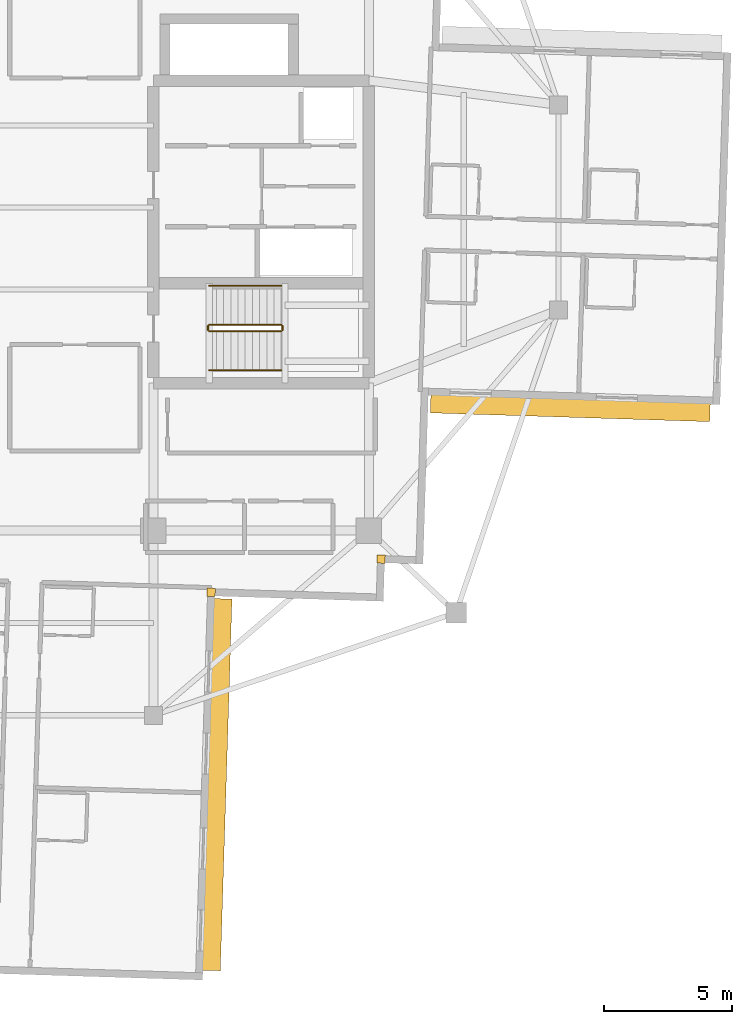
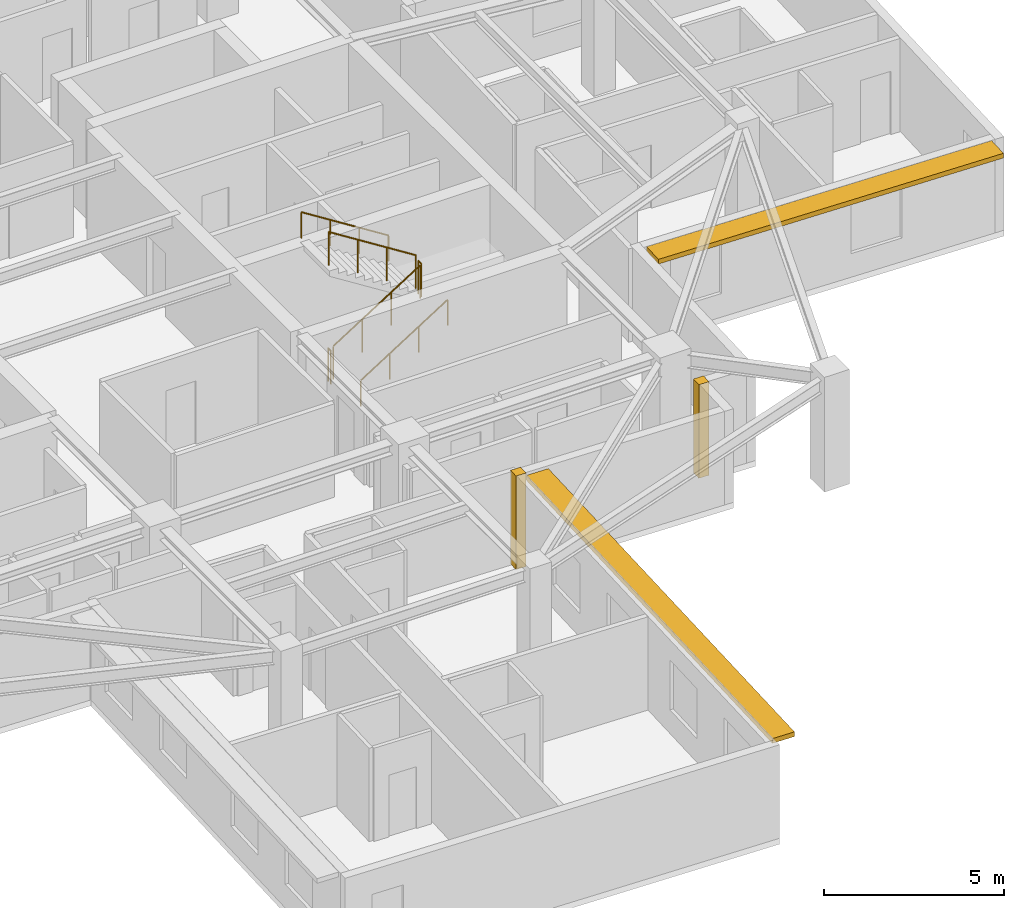
# One storey, part 11 of 13: 6 railings, 2 coverings, 2 shading devices.
"""IFC4 building model written with IfcOpenShell, lengths in metres."""

from ifc_helpers import new_model, si_unit, direction, frame, origin, origin_2d, place, context, subcontext, project, spatial, rectangle, circle, extrude, material, layer, layer_set, type_object, element, save


model = new_model("IFC4")

# Units and contexts
model_context = context("Model", 3, precision=1e-05, world=origin(), true_north=direction((0.0, 1.0)))
body_context = subcontext(model_context, "Body", "Model", "MODEL_VIEW")
ifc_project = project(units=[si_unit("LENGTHUNIT", "METRE"), si_unit("AREAUNIT", "SQUARE_METRE"), si_unit("VOLUMEUNIT", "CUBIC_METRE"), si_unit("PLANEANGLEUNIT", "RADIAN"), si_unit("MASSUNIT", "GRAM", prefix="KILO")], contexts=[model_context])

# Site, building, storey
site_placement = place(None, origin())
site = spatial("IfcSite", under=ifc_project, at=site_placement, CompositionType="ELEMENT")
building_placement = place(site_placement, origin())
building = spatial("IfcBuilding", under=site, at=building_placement, Name="Qingluan Cross Belvedere", CompositionType="ELEMENT")
storey_placement = place(building_placement, frame((0.0, 0.0, 257.699951171875)))
storey = spatial("IfcBuildingStorey", under=building, at=storey_placement, Name="L64", CompositionType="ELEMENT", Elevation=257.699951171875)

# Coverings
ifc_material_1 = material(Name="Precast concrete C45", Category="concrete")
ifc_layer_1 = layer(ifc_material_1, 0.1201171875, Name="ConcreteSpandrelCladding_120")
ifc_layer_set_1 = layer_set([ifc_layer_1], Name="Precast concrete C45")
covering_type = type_object("IfcCoveringType", Name="ConcreteSpandrelCladding_120", PredefinedType="CLADDING", material=ifc_layer_set_1)
for number, where, z_axis, x_axis, name in (
    (1, (12.875732421875, -13.711181640625, 0.0), (0.0, 0.0, 1.0), (0.999506560366, -0.031410759078, 0.0), "Corner closure L64-SE1"),
    (2, (6.251708984375, -15.00390625, 0.0), (0.0, 0.0, 1.0), (0.999506560366, -0.031410759078, 0.0), "Corner closure L64-SE2"),
):
    element("IfcCovering", number, at=place(storey_placement, frame(where, z_axis=z_axis, x_axis=x_axis)), inside=storey, type_object=covering_type, Name=name, PredefinedType="CLADDING", context=body_context, shape_type="SweptSolid", body=[
        extrude(rectangle(XDim=0.320068359375, YDim=0.320068359375, at=origin_2d()), origin(), (0.0, 0.0, 1.0), 3.179931640625),
    ])

# Shading devices
ifc_material_2 = material(Name="Precast concrete C45", Category="concrete")
ifc_layer_2 = layer(ifc_material_2, 0.139892578125, Name="ConcreteSunshadeBand_700")
ifc_layer_set_2 = layer_set([ifc_layer_2], Name="Precast concrete C45")
shading_device_type = type_object("IfcShadingDeviceType", Name="ConcreteSunshadeBand_700", PredefinedType="USERDEFINED", material=ifc_layer_set_2)
shading_device_1_placement = place(storey_placement, frame((20.25390625, -7.830078125, 3.0), z_axis=(0.0, 0.0, 1.0), x_axis=(0.999506735289, -0.031405192428, 0.0)))
element("IfcShadingDevice", 3, at=shading_device_1_placement, inside=storey, type_object=shading_device_type, Name="Concrete SUNSHADE L64-EA", ObjectType="SUNSHADE", PredefinedType="USERDEFINED", context=body_context, shape_type="SweptSolid", body=[
    extrude(rectangle(XDim=10.89990234375, YDim=0.699951171875, at=origin_2d()), origin(), (0.0, 0.0, 1.0), 0.159912109375),
])
shading_device_2_placement = place(storey_placement, frame((6.486328125, -22.5048828125, 3.0), z_axis=(0.0, 0.0, 1.0), x_axis=(0.031408051437, 0.999506645453, 0.0)))
element("IfcShadingDevice", 4, at=shading_device_2_placement, inside=storey, type_object=shading_device_type, Name="Concrete SUNSHADE L64-SB", ObjectType="SUNSHADE", PredefinedType="USERDEFINED", context=body_context, shape_type="SweptSolid", body=[
    extrude(rectangle(XDim=14.5, YDim=0.699951171875, at=origin_2d()), origin(), (0.0, 0.0, 1.0), 0.159912109375),
])

# Railings
ifc_material_3 = material(Name="Brushed stainless steel tubular handrail", Category="steel")
railing_type_1 = type_object("IfcRailingType", Name="StairPitchHandrail_900", PredefinedType="HANDRAIL", material=ifc_material_3)
railing_1_placement = place(storey_placement, frame((6.179931640625, -6.35009765625, 0.17724609375)))
element("IfcRailing", 5, at=railing_1_placement, inside=storey, type_object=railing_type_1, Name="L64 ST2 stair handrail 1", PredefinedType="HANDRAIL", context=body_context, shape_type="SweptSolid", body=[
    extrude(circle(Radius=0.02392578125, at=origin_2d()), frame((0.0, 0.0, 0.8759765625), z_axis=(0.844908973607, 0.0, 0.534910110503), x_axis=(0.0, 1.0, 0.0)), (0.0, 0.0, 1.0), 3.31396484375),
    extrude(circle(Radius=0.02099609375, at=origin_2d()), origin(), (0.0, 0.0, 1.0), 0.851806640625),
    extrude(circle(Radius=0.02099609375, at=origin_2d()), frame((0.933349609375, 0.0, 0.5908203125)), (0.0, 0.0, 1.0), 0.851806640625),
    extrude(circle(Radius=0.02099609375, at=origin_2d()), frame((1.86669921875, 0.0, 1.181884765625)), (0.0, 0.0, 1.0), 0.851806640625),
    extrude(circle(Radius=0.02099609375, at=origin_2d()), frame((2.800048828125, 0.0, 1.772705078125)), (0.0, 0.0, 1.0), 0.851806640625),
])
railing_2_placement = place(storey_placement, frame((8.97998046875, -3.050048828125, 2.12744140625)))
element("IfcRailing", 6, at=railing_2_placement, inside=storey, type_object=railing_type_1, Name="L64 ST2 stair handrail 2", PredefinedType="HANDRAIL", context=body_context, shape_type="SweptSolid", body=[
    extrude(circle(Radius=0.02392578125, at=origin_2d()), frame((0.0, 0.0, 0.8759765625), z_axis=(-0.844908973607, 0.0, 0.534910110503), x_axis=(0.0, -1.0, 0.0)), (0.0, 0.0, 1.0), 3.31396484375),
    extrude(circle(Radius=0.02099609375, at=origin_2d()), origin(), (0.0, 0.0, 1.0), 0.851806640625),
    extrude(circle(Radius=0.02099609375, at=origin_2d()), frame((-0.933349609375, 0.0, 0.5908203125)), (0.0, 0.0, 1.0), 0.851806640625),
    extrude(circle(Radius=0.02099609375, at=origin_2d()), frame((-1.86669921875, 0.0, 1.181884765625)), (0.0, 0.0, 1.0), 0.851806640625),
    extrude(circle(Radius=0.02099609375, at=origin_2d()), frame((-2.800048828125, 0.0, 1.772705078125)), (0.0, 0.0, 1.0), 0.851806640625),
])
ifc_material_4 = material(Name="Painted steel stair well guard", Category="steel")
railing_type_2 = type_object("IfcRailingType", Name="StairWellGuard_1150", PredefinedType="BALUSTRADE", material=ifc_material_4)
railing_3_placement = place(storey_placement, frame((6.179931640625, -4.830078125, 0.17724609375)))
element("IfcRailing", 7, at=railing_3_placement, inside=storey, type_object=railing_type_2, Name="L64 ST2 stair guard 1", PredefinedType="BALUSTRADE", context=body_context, shape_type="SweptSolid", body=[
    extrude(circle(Radius=0.02392578125, at=origin_2d()), frame((0.0, 0.0, 1.1259765625), z_axis=(0.844908973607, 0.0, 0.534910110503), x_axis=(0.0, 1.0, 0.0)), (0.0, 0.0, 1.0), 3.31396484375),
    extrude(circle(Radius=0.02099609375, at=origin_2d()), origin(), (0.0, 0.0, 1.0), 1.101806640625),
    extrude(circle(Radius=0.02099609375, at=origin_2d()), frame((0.933349609375, 0.0, 0.5908203125)), (0.0, 0.0, 1.0), 1.101806640625),
    extrude(circle(Radius=0.02099609375, at=origin_2d()), frame((1.86669921875, 0.0, 1.181884765625)), (0.0, 0.0, 1.0), 1.101806640625),
    extrude(circle(Radius=0.02099609375, at=origin_2d()), frame((2.800048828125, 0.0, 1.772705078125)), (0.0, 0.0, 1.0), 1.101806640625),
])
railing_4_placement = place(storey_placement, frame((9.030029296875, -4.780029296875, 1.949951171875)))
element("IfcRailing", 8, at=railing_4_placement, inside=storey, type_object=railing_type_2, Name="L64 ST2 stair guard 2", PredefinedType="BALUSTRADE", context=body_context, shape_type="SweptSolid", body=[
    extrude(circle(Radius=0.02392578125, at=origin_2d()), frame((0.0, 0.0, 1.1259765625), z_axis=(0.0, 1.0, 0.0), x_axis=(-1.0, 0.0, 0.0)), (0.0, 0.0, 1.0), 0.159912109375),
    extrude(circle(Radius=0.02099609375, at=origin_2d()), origin(), (0.0, 0.0, 1.0), 1.101806640625),
    extrude(circle(Radius=0.02099609375, at=origin_2d()), frame((0.0, 0.159912109375, 0.0)), (0.0, 0.0, 1.0), 1.101806640625),
])
railing_5_placement = place(storey_placement, frame((8.97998046875, -4.570068359375, 2.12744140625)))
element("IfcRailing", 9, at=railing_5_placement, inside=storey, type_object=railing_type_2, Name="L64 ST2 stair guard 3", PredefinedType="BALUSTRADE", context=body_context, shape_type="SweptSolid", body=[
    extrude(circle(Radius=0.02392578125, at=origin_2d()), frame((0.0, 0.0, 1.1259765625), z_axis=(-0.844908973607, 0.0, 0.534910110503), x_axis=(0.0, -1.0, 0.0)), (0.0, 0.0, 1.0), 3.31396484375),
    extrude(circle(Radius=0.02099609375, at=origin_2d()), origin(), (0.0, 0.0, 1.0), 1.101806640625),
    extrude(circle(Radius=0.02099609375, at=origin_2d()), frame((-0.933349609375, 0.0, 0.5908203125)), (0.0, 0.0, 1.0), 1.101806640625),
    extrude(circle(Radius=0.02099609375, at=origin_2d()), frame((-1.86669921875, 0.0, 1.181884765625)), (0.0, 0.0, 1.0), 1.101806640625),
    extrude(circle(Radius=0.02099609375, at=origin_2d()), frame((-2.800048828125, 0.0, 1.772705078125)), (0.0, 0.0, 1.0), 1.101806640625),
])
railing_6_placement = place(storey_placement, frame((6.1298828125, -4.780029296875, 0.0)))
element("IfcRailing", 10, at=railing_6_placement, inside=storey, type_object=railing_type_2, Name="L64 ST2 stair guard 4", PredefinedType="BALUSTRADE", context=body_context, shape_type="SweptSolid", body=[
    extrude(circle(Radius=0.02392578125, at=origin_2d()), frame((0.0, 0.0, 1.1259765625), z_axis=(0.0, 1.0, 0.0), x_axis=(-1.0, 0.0, 0.0)), (0.0, 0.0, 1.0), 0.159912109375),
    extrude(circle(Radius=0.02099609375, at=origin_2d()), origin(), (0.0, 0.0, 1.0), 1.101806640625),
    extrude(circle(Radius=0.02099609375, at=origin_2d()), frame((0.0, 0.159912109375, 0.0)), (0.0, 0.0, 1.0), 1.101806640625),
])

save(model, "model.ifc")
